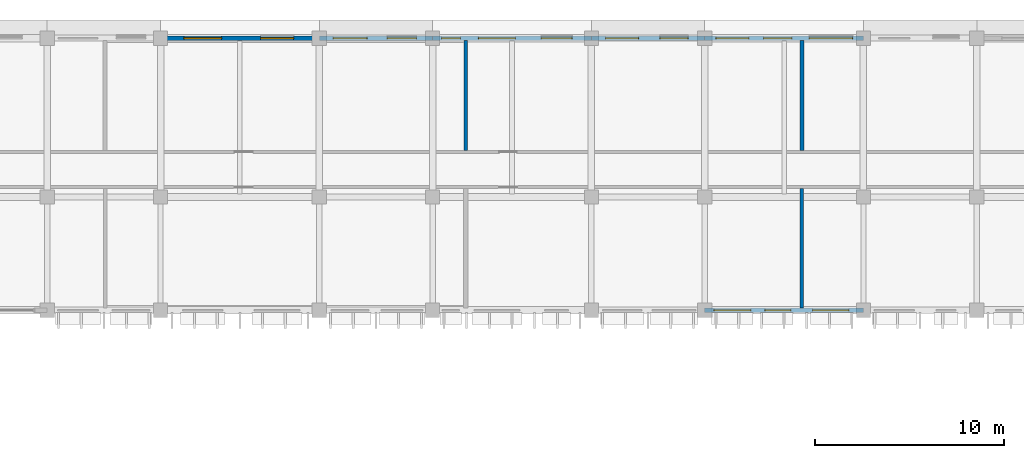
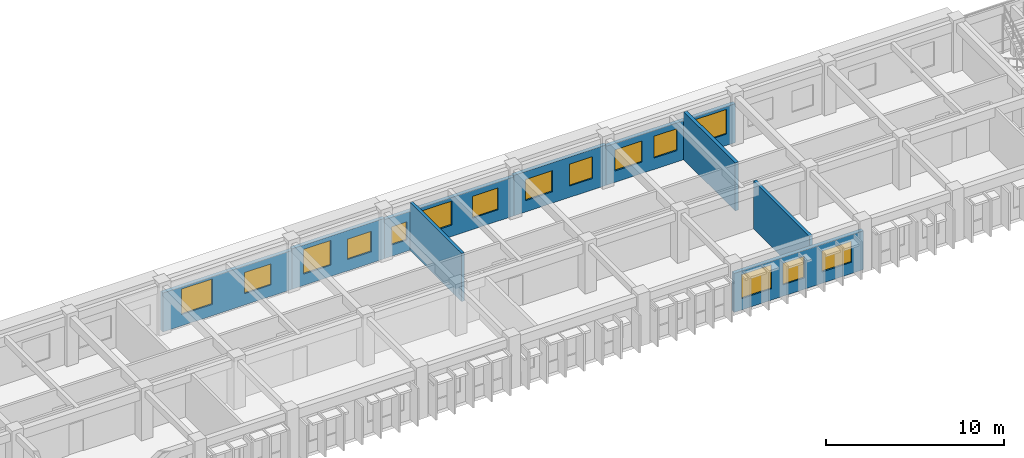
# One storey, part 60 of 88: 15 windows, 9 walls, 15 openings.
"""IFC4 building model written with IfcOpenShell, lengths in metres."""

from ifc_helpers import new_model, si_unit, direction, frame, frame_2d, origin, place, context, subcontext, project, spatial, rectangle, extrude, material, layer, layer_set, type_object, element, fill, save


model = new_model("IFC4")

# Units and contexts
model_context = context("Model", 3, precision=1e-05, world=origin(), true_north=direction((0.0, 1.0)))
body_context = subcontext(model_context, "Body", "Model", "MODEL_VIEW")
ifc_project = project(units=[si_unit("LENGTHUNIT", "METRE"), si_unit("AREAUNIT", "SQUARE_METRE"), si_unit("VOLUMEUNIT", "CUBIC_METRE"), si_unit("PLANEANGLEUNIT", "RADIAN"), si_unit("MASSUNIT", "GRAM", prefix="KILO"), si_unit("THERMODYNAMICTEMPERATUREUNIT", "KELVIN")], contexts=[model_context])

# Site, building, storey
site_placement = place(None, origin())
site = spatial("IfcSite", under=ifc_project, at=site_placement, CompositionType="ELEMENT")
building_placement = place(site_placement, origin())
building = spatial("IfcBuilding", under=site, at=building_placement, Name="Thalorik Housing Commons", CompositionType="ELEMENT")
storey_placement = place(building_placement, frame((0.0, 0.0, 4.5)))
storey = spatial("IfcBuildingStorey", under=building, at=storey_placement, Name="L01", CompositionType="ELEMENT", Elevation=4.5)

# Wall, openings, windows
ifc_material_1 = material(Name="White precast concrete C40/50", Category="concrete")
ifc_layer_1 = layer(ifc_material_1, 0.2451171875, Name="White precast concrete C40/50", Category="concrete")
ifc_layer_set_1 = layer_set([ifc_layer_1], Name="White precast concrete C40/50")
wall_type_1 = type_object("IfcWallType", Name="ARC-WAL-EXT-245", PredefinedType="STANDARD", material=ifc_layer_set_1)
wall_1_placement = place(storey_placement, frame((138.0, 123.60009765625, 0.0), z_axis=(0.0, 0.0, 1.0), x_axis=(-1.0, 0.0, 0.0)))
wall_1 = element("IfcWall", 1, at=wall_1_placement, inside=storey, type_object=wall_type_1, Name="L01 Exterior Wall WAL-EXT-L01-B-0414", PredefinedType="STANDARD", context=body_context, shape_type="SweptSolid", body=[
    extrude(rectangle(XDim=8.39990234375, YDim=0.2451171875, at=frame_2d((4.199951171875, 0.0))), origin(), (0.0, 0.0, 1.0), 2.675048828125),
])
opening_1_placement = place(wall_1_placement, frame((0.574951171875, 0.0, 0.780029296875)))
opening_1 = element("IfcOpeningElement", 2, at=opening_1_placement, cuts=wall_1, Name="Opening W-32", PredefinedType="OPENING", context=body_context, shape_type="SweptSolid", body=[
    extrude(rectangle(XDim=2.300048828125, YDim=1.699951171875, at=frame_2d((1.14990234375, 0.85009765625))), frame((0.0, 0.132568359375, 0.0), z_axis=(0.0, -1.0, 0.0), x_axis=(1.0, 0.0, 0.0)), (0.0, 0.0, 1.0), 0.26513671875),
])
opening_2_placement = place(wall_1_placement, frame((3.782470703125, 0.0, 0.780029296875)))
opening_2 = element("IfcOpeningElement", 3, at=opening_2_placement, cuts=wall_1, Name="Opening W-10", PredefinedType="OPENING", context=body_context, shape_type="SweptSolid", body=[
    extrude(rectangle(XDim=1.5, YDim=1.5, at=frame_2d((0.75, 0.75))), frame((0.0, 0.132568359375, 0.0), z_axis=(0.0, -1.0, 0.0), x_axis=(1.0, 0.0, 0.0)), (0.0, 0.0, 1.0), 0.26513671875),
])
opening_3_placement = place(wall_1_placement, frame((6.0625, 0.0, 0.780029296875)))
opening_3 = element("IfcOpeningElement", 4, at=opening_3_placement, cuts=wall_1, Name="Opening W-17", PredefinedType="OPENING", context=body_context, shape_type="SweptSolid", body=[
    extrude(rectangle(XDim=1.75, YDim=1.449951171875, at=frame_2d((0.875, 0.72509765625))), frame((0.0, 0.132568359375, 0.0), z_axis=(0.0, -1.0, 0.0), x_axis=(1.0, 0.0, 0.0)), (0.0, 0.0, 1.0), 0.26513671875),
])
ifc_material_2 = material(Name="Anodised aluminium and solar-control low-E glass", Category="aluminium")
window_type_1 = type_object("IfcWindowType", Name="ARC-WIN-10", PartitioningType="SINGLE_PANEL", PredefinedType="WINDOW", material=ifc_material_2)
window_1_placement = place(opening_2_placement, origin())
window_1 = element("IfcWindow", 5, at=window_1_placement, inside=storey, type_object=window_type_1, Name="L01 Facade Window 735", OverallHeight=1.5, OverallWidth=1.5, PartitioningType="SINGLE_PANEL", PredefinedType="WINDOW", context=body_context, shape_type="SweptSolid", body=[
    extrude(rectangle(XDim=1.5, YDim=1.5, at=frame_2d((0.75, 0.75))), frame((0.0, 0.030029296875, 0.0), z_axis=(0.0, -1.0, 0.0), x_axis=(1.0, 0.0, 0.0)), (0.0, 0.0, 1.0), 0.06005859375),
])
fill(opening_2, window_1)
window_type_2 = type_object("IfcWindowType", Name="ARC-WIN-17", PartitioningType="DOUBLE_PANEL_VERTICAL", PredefinedType="WINDOW", material=ifc_material_2)
window_2_placement = place(opening_3_placement, origin())
window_2 = element("IfcWindow", 6, at=window_2_placement, inside=storey, type_object=window_type_2, Name="L01 Facade Window 736", OverallHeight=1.449951171875, OverallWidth=1.75, PartitioningType="DOUBLE_PANEL_VERTICAL", PredefinedType="WINDOW", context=body_context, shape_type="SweptSolid", body=[
    extrude(rectangle(XDim=1.75, YDim=1.449951171875, at=frame_2d((0.875, 0.72509765625))), frame((0.0, 0.030029296875, 0.0), z_axis=(0.0, -1.0, 0.0), x_axis=(1.0, 0.0, 0.0)), (0.0, 0.0, 1.0), 0.06005859375),
])
fill(opening_3, window_2)
window_type_3 = type_object("IfcWindowType", Name="ARC-WIN-32", PartitioningType="DOUBLE_PANEL_VERTICAL", PredefinedType="WINDOW", material=ifc_material_2)
window_3_placement = place(opening_1_placement, origin())
window_3 = element("IfcWindow", 7, at=window_3_placement, inside=storey, type_object=window_type_3, Name="L01 Facade Window 734", OverallHeight=1.699951171875, OverallWidth=2.300048828125, PartitioningType="DOUBLE_PANEL_VERTICAL", PredefinedType="WINDOW", context=body_context, shape_type="SweptSolid", body=[
    extrude(rectangle(XDim=2.300048828125, YDim=1.699951171875, at=frame_2d((1.14990234375, 0.85009765625))), frame((0.0, 0.030029296875, 0.0), z_axis=(0.0, -1.0, 0.0), x_axis=(1.0, 0.0, 0.0)), (0.0, 0.0, 1.0), 0.06005859375),
])
fill(opening_1, window_3)

wall_2_placement = place(storey_placement, frame((129.60009765625, 123.60009765625, 0.0), z_axis=(0.0, 0.0, 1.0), x_axis=(-1.0, 0.0, 0.0)))
wall_2 = element("IfcWall", 8, at=wall_2_placement, inside=storey, type_object=wall_type_1, Name="L01 Exterior Wall WAL-EXT-L01-B-0415", PredefinedType="STANDARD", context=body_context, shape_type="SweptSolid", body=[
    extrude(rectangle(XDim=6.0, YDim=0.2451171875, at=frame_2d((3.0, 0.0))), origin(), (0.0, 0.0, 1.0), 2.77490234375),
])
opening_4_placement = place(wall_2_placement, frame((0.8798828125, 0.0, 0.780029296875)))
opening_4 = element("IfcOpeningElement", 9, at=opening_4_placement, cuts=wall_2, Name="Opening W-10", PredefinedType="OPENING", context=body_context, shape_type="SweptSolid", body=[
    extrude(rectangle(XDim=1.5, YDim=1.5, at=frame_2d((0.75, 0.75))), frame((0.0, 0.132568359375, 0.0), z_axis=(0.0, -1.0, 0.0), x_axis=(1.0, 0.0, 0.0)), (0.0, 0.0, 1.0), 0.26513671875),
])
opening_5_placement = place(wall_2_placement, frame((3.4951171875, 0.0, 0.780029296875)))
opening_5 = element("IfcOpeningElement", 10, at=opening_5_placement, cuts=wall_2, Name="Opening W-17", PredefinedType="OPENING", context=body_context, shape_type="SweptSolid", body=[
    extrude(rectangle(XDim=1.75, YDim=1.449951171875, at=frame_2d((0.875, 0.72509765625))), frame((0.0, 0.132568359375, 0.0), z_axis=(0.0, -1.0, 0.0), x_axis=(1.0, 0.0, 0.0)), (0.0, 0.0, 1.0), 0.26513671875),
])
window_4_placement = place(opening_4_placement, origin())
window_4 = element("IfcWindow", 11, at=window_4_placement, inside=storey, type_object=window_type_1, Name="L01 Facade Window 737", OverallHeight=1.5, OverallWidth=1.5, PartitioningType="SINGLE_PANEL", PredefinedType="WINDOW", context=body_context, shape_type="SweptSolid", body=[
    extrude(rectangle(XDim=1.5, YDim=1.5, at=frame_2d((0.75, 0.75))), frame((0.0, 0.030029296875, 0.0), z_axis=(0.0, -1.0, 0.0), x_axis=(1.0, 0.0, 0.0)), (0.0, 0.0, 1.0), 0.06005859375),
])
fill(opening_4, window_4)
window_5_placement = place(opening_5_placement, origin())
window_5 = element("IfcWindow", 12, at=window_5_placement, inside=storey, type_object=window_type_2, Name="L01 Facade Window 738", OverallHeight=1.449951171875, OverallWidth=1.75, PartitioningType="DOUBLE_PANEL_VERTICAL", PredefinedType="WINDOW", context=body_context, shape_type="SweptSolid", body=[
    extrude(rectangle(XDim=1.75, YDim=1.449951171875, at=frame_2d((0.875, 0.72509765625))), frame((0.0, 0.030029296875, 0.0), z_axis=(0.0, -1.0, 0.0), x_axis=(1.0, 0.0, 0.0)), (0.0, 0.0, 1.0), 0.06005859375),
])
fill(opening_5, window_5)

wall_3_placement = place(storey_placement, frame((123.60009765625, 123.60009765625, 0.0), z_axis=(0.0, 0.0, 1.0), x_axis=(-1.0, 0.0, 0.0)))
wall_3 = element("IfcWall", 13, at=wall_3_placement, inside=storey, type_object=wall_type_1, Name="L01 Exterior Wall WAL-EXT-L01-B-0416", PredefinedType="STANDARD", context=body_context, shape_type="SweptSolid", body=[
    extrude(rectangle(XDim=8.400146484375, YDim=0.2451171875, at=frame_2d((4.2001953125, 0.0))), origin(), (0.0, 0.0, 1.0), 2.675048828125),
])
opening_6_placement = place(wall_3_placement, frame((1.014892578125, 0.0, 0.780029296875)))
opening_6 = element("IfcOpeningElement", 14, at=opening_6_placement, cuts=wall_3, Name="Opening W-15", PredefinedType="OPENING", context=body_context, shape_type="SweptSolid", body=[
    extrude(rectangle(XDim=1.64990234375, YDim=1.5, at=frame_2d((0.824951171875, 0.75))), frame((0.0, 0.132568359375, 0.0), z_axis=(0.0, -1.0, 0.0), x_axis=(1.0, 0.0, 0.0)), (0.0, 0.0, 1.0), 0.26513671875),
])
opening_7_placement = place(wall_3_placement, frame((4.02490234375, 0.0, 0.780029296875)))
opening_7 = element("IfcOpeningElement", 15, at=opening_7_placement, cuts=wall_3, Name="Opening W-22", PredefinedType="OPENING", context=body_context, shape_type="SweptSolid", body=[
    extrude(rectangle(XDim=1.949951171875, YDim=1.64990234375, at=frame_2d((0.97509765625, 0.824951171875))), frame((0.0, 0.132568359375, 0.0), z_axis=(0.0, -1.0, 0.0), x_axis=(1.0, 0.0, 0.0)), (0.0, 0.0, 1.0), 0.26513671875),
])
opening_8_placement = place(wall_3_placement, frame((6.929931640625, 0.0, 0.780029296875)))
opening_8 = element("IfcOpeningElement", 16, at=opening_8_placement, cuts=wall_3, Name="Opening W-02", PredefinedType="OPENING", context=body_context, shape_type="SweptSolid", body=[
    extrude(rectangle(XDim=1.0, YDim=1.25, at=frame_2d((0.5, 0.625))), frame((0.0, 0.132568359375, 0.0), z_axis=(0.0, -1.0, 0.0), x_axis=(1.0, 0.0, 0.0)), (0.0, 0.0, 1.0), 0.26513671875),
])
window_type_4 = type_object("IfcWindowType", Name="ARC-WIN-02", PartitioningType="SINGLE_PANEL", PredefinedType="WINDOW", material=ifc_material_2)
window_6_placement = place(opening_8_placement, origin())
window_6 = element("IfcWindow", 17, at=window_6_placement, inside=storey, type_object=window_type_4, Name="L01 Facade Window 741", OverallHeight=1.25, OverallWidth=1.0, PartitioningType="SINGLE_PANEL", PredefinedType="WINDOW", context=body_context, shape_type="SweptSolid", body=[
    extrude(rectangle(XDim=1.0, YDim=1.25, at=frame_2d((0.5, 0.625))), frame((0.0, 0.030029296875, 0.0), z_axis=(0.0, -1.0, 0.0), x_axis=(1.0, 0.0, 0.0)), (0.0, 0.0, 1.0), 0.06005859375),
])
fill(opening_8, window_6)
window_type_5 = type_object("IfcWindowType", Name="ARC-WIN-15", PartitioningType="DOUBLE_PANEL_VERTICAL", PredefinedType="WINDOW", material=ifc_material_2)
window_7_placement = place(opening_6_placement, origin())
window_7 = element("IfcWindow", 18, at=window_7_placement, inside=storey, type_object=window_type_5, Name="L01 Facade Window 739", OverallHeight=1.5, OverallWidth=1.64990234375, PartitioningType="DOUBLE_PANEL_VERTICAL", PredefinedType="WINDOW", context=body_context, shape_type="SweptSolid", body=[
    extrude(rectangle(XDim=1.64990234375, YDim=1.5, at=frame_2d((0.824951171875, 0.75))), frame((0.0, 0.030029296875, 0.0), z_axis=(0.0, -1.0, 0.0), x_axis=(1.0, 0.0, 0.0)), (0.0, 0.0, 1.0), 0.06005859375),
])
fill(opening_6, window_7)
window_type_6 = type_object("IfcWindowType", Name="ARC-WIN-22", PartitioningType="DOUBLE_PANEL_VERTICAL", PredefinedType="WINDOW", material=ifc_material_2)
window_8_placement = place(opening_7_placement, origin())
window_8 = element("IfcWindow", 19, at=window_8_placement, inside=storey, type_object=window_type_6, Name="L01 Facade Window 740", OverallHeight=1.64990234375, OverallWidth=1.949951171875, PartitioningType="DOUBLE_PANEL_VERTICAL", PredefinedType="WINDOW", context=body_context, shape_type="SweptSolid", body=[
    extrude(rectangle(XDim=1.949951171875, YDim=1.64990234375, at=frame_2d((0.97509765625, 0.824951171875))), frame((0.0, 0.030029296875, 0.0), z_axis=(0.0, -1.0, 0.0), x_axis=(1.0, 0.0, 0.0)), (0.0, 0.0, 1.0), 0.06005859375),
])
fill(opening_7, window_8)

wall_4_placement = place(storey_placement, frame((115.199951171875, 123.60009765625, 0.0), z_axis=(0.0, 0.0, 1.0), x_axis=(-1.0, 0.0, 0.0)))
wall_4 = element("IfcWall", 20, at=wall_4_placement, inside=storey, type_object=wall_type_1, Name="L01 Exterior Wall WAL-EXT-L01-B-0417", PredefinedType="STANDARD", context=body_context, shape_type="SweptSolid", body=[
    extrude(rectangle(XDim=6.0, YDim=0.2451171875, at=frame_2d((3.0, 0.0))), origin(), (0.0, 0.0, 1.0), 2.77490234375),
])
opening_9_placement = place(wall_4_placement, frame((0.85498046875, 0.0, 0.780029296875)))
opening_9 = element("IfcOpeningElement", 21, at=opening_9_placement, cuts=wall_4, Name="Opening W-12", PredefinedType="OPENING", context=body_context, shape_type="SweptSolid", body=[
    extrude(rectangle(XDim=1.550048828125, YDim=1.39990234375, at=frame_2d((0.77490234375, 0.699951171875))), frame((0.0, 0.132568359375, 0.0), z_axis=(0.0, -1.0, 0.0), x_axis=(1.0, 0.0, 0.0)), (0.0, 0.0, 1.0), 0.26513671875),
])
opening_10_placement = place(wall_4_placement, frame((3.469970703125, 0.0, 0.780029296875)))
opening_10 = element("IfcOpeningElement", 22, at=opening_10_placement, cuts=wall_4, Name="Opening W-19", PredefinedType="OPENING", context=body_context, shape_type="SweptSolid", body=[
    extrude(rectangle(XDim=1.800048828125, YDim=1.699951171875, at=frame_2d((0.89990234375, 0.85009765625))), frame((0.0, 0.132568359375, 0.0), z_axis=(0.0, -1.0, 0.0), x_axis=(1.0, 0.0, 0.0)), (0.0, 0.0, 1.0), 0.26513671875),
])
window_type_7 = type_object("IfcWindowType", Name="ARC-WIN-12", PartitioningType="SINGLE_PANEL", PredefinedType="WINDOW", material=ifc_material_2)
window_9_placement = place(opening_9_placement, origin())
window_9 = element("IfcWindow", 23, at=window_9_placement, inside=storey, type_object=window_type_7, Name="L01 Facade Window 742", OverallHeight=1.39990234375, OverallWidth=1.550048828125, PartitioningType="SINGLE_PANEL", PredefinedType="WINDOW", context=body_context, shape_type="SweptSolid", body=[
    extrude(rectangle(XDim=1.550048828125, YDim=1.39990234375, at=frame_2d((0.77490234375, 0.699951171875))), frame((0.0, 0.030029296875, 0.0), z_axis=(0.0, -1.0, 0.0), x_axis=(1.0, 0.0, 0.0)), (0.0, 0.0, 1.0), 0.06005859375),
])
fill(opening_9, window_9)
window_type_8 = type_object("IfcWindowType", Name="ARC-WIN-19", PartitioningType="DOUBLE_PANEL_VERTICAL", PredefinedType="WINDOW", material=ifc_material_2)
window_10_placement = place(opening_10_placement, origin())
window_10 = element("IfcWindow", 24, at=window_10_placement, inside=storey, type_object=window_type_8, Name="L01 Facade Window 743", OverallHeight=1.699951171875, OverallWidth=1.800048828125, PartitioningType="DOUBLE_PANEL_VERTICAL", PredefinedType="WINDOW", context=body_context, shape_type="SweptSolid", body=[
    extrude(rectangle(XDim=1.800048828125, YDim=1.699951171875, at=frame_2d((0.89990234375, 0.85009765625))), frame((0.0, 0.030029296875, 0.0), z_axis=(0.0, -1.0, 0.0), x_axis=(1.0, 0.0, 0.0)), (0.0, 0.0, 1.0), 0.06005859375),
])
fill(opening_10, window_10)

wall_5_placement = place(storey_placement, frame((109.199951171875, 123.60009765625, 0.0), z_axis=(0.0, 0.0, 1.0), x_axis=(-1.0, 0.0, 0.0)))
wall_5 = element("IfcWall", 25, at=wall_5_placement, inside=storey, type_object=wall_type_1, Name="L01 Exterior Wall WAL-EXT-L01-B-0418", PredefinedType="STANDARD", context=body_context, shape_type="SweptSolid", body=[
    extrude(rectangle(XDim=8.39990234375, YDim=0.2451171875, at=frame_2d((4.199951171875, 0.0))), origin(), (0.0, 0.0, 1.0), 2.675048828125),
])
opening_11_placement = place(wall_5_placement, frame((1.35498046875, 0.0, 0.780029296875)))
opening_11 = element("IfcOpeningElement", 26, at=opening_11_placement, cuts=wall_5, Name="Opening W-17", PredefinedType="OPENING", context=body_context, shape_type="SweptSolid", body=[
    extrude(rectangle(XDim=1.75, YDim=1.449951171875, at=frame_2d((0.875, 0.72509765625))), frame((0.0, 0.132568359375, 0.0), z_axis=(0.0, -1.0, 0.0), x_axis=(1.0, 0.0, 0.0)), (0.0, 0.0, 1.0), 0.26513671875),
])
opening_12_placement = place(wall_5_placement, frame((5.169921875, 0.0, 0.780029296875)))
opening_12 = element("IfcOpeningElement", 27, at=opening_12_placement, cuts=wall_5, Name="Opening W-24", PredefinedType="OPENING", context=body_context, shape_type="SweptSolid", body=[
    extrude(rectangle(XDim=2.0, YDim=1.75, at=frame_2d((1.0, 0.875))), frame((0.0, 0.132568359375, 0.0), z_axis=(0.0, -1.0, 0.0), x_axis=(1.0, 0.0, 0.0)), (0.0, 0.0, 1.0), 0.26513671875),
])
window_11_placement = place(opening_11_placement, origin())
window_11 = element("IfcWindow", 28, at=window_11_placement, inside=storey, type_object=window_type_2, Name="L01 Facade Window 744", OverallHeight=1.449951171875, OverallWidth=1.75, PartitioningType="DOUBLE_PANEL_VERTICAL", PredefinedType="WINDOW", context=body_context, shape_type="SweptSolid", body=[
    extrude(rectangle(XDim=1.75, YDim=1.449951171875, at=frame_2d((0.875, 0.72509765625))), frame((0.0, 0.030029296875, 0.0), z_axis=(0.0, -1.0, 0.0), x_axis=(1.0, 0.0, 0.0)), (0.0, 0.0, 1.0), 0.06005859375),
])
fill(opening_11, window_11)
window_type_9 = type_object("IfcWindowType", Name="ARC-WIN-24", PartitioningType="DOUBLE_PANEL_VERTICAL", PredefinedType="WINDOW", material=ifc_material_2)
window_12_placement = place(opening_12_placement, origin())
window_12 = element("IfcWindow", 29, at=window_12_placement, inside=storey, type_object=window_type_9, Name="L01 Facade Window 745", OverallHeight=1.75, OverallWidth=2.0, PartitioningType="DOUBLE_PANEL_VERTICAL", PredefinedType="WINDOW", context=body_context, shape_type="SweptSolid", body=[
    extrude(rectangle(XDim=2.0, YDim=1.75, at=frame_2d((1.0, 0.875))), frame((0.0, 0.030029296875, 0.0), z_axis=(0.0, -1.0, 0.0), x_axis=(1.0, 0.0, 0.0)), (0.0, 0.0, 1.0), 0.06005859375),
])
fill(opening_12, window_12)

wall_6_placement = place(storey_placement, frame((129.60009765625, 109.199951171875, 0.0), z_axis=(0.0, 0.0, 1.0), x_axis=(1.0, 0.0, 0.0)))
wall_6 = element("IfcWall", 30, at=wall_6_placement, inside=storey, type_object=wall_type_1, Name="L01 Exterior Wall WAL-EXT-L01-B-0431", PredefinedType="STANDARD", context=body_context, shape_type="SweptSolid", body=[
    extrude(rectangle(XDim=8.39990234375, YDim=0.2451171875, at=frame_2d((4.199951171875, 0.0))), origin(), (0.0, 0.0, 1.0), 2.675048828125),
])
opening_13_placement = place(wall_6_placement, frame((0.487548828125, 0.0, 0.780029296875)))
opening_13 = element("IfcOpeningElement", 31, at=opening_13_placement, cuts=wall_6, Name="Opening W-22", PredefinedType="OPENING", context=body_context, shape_type="SweptSolid", body=[
    extrude(rectangle(XDim=1.949951171875, YDim=1.64990234375, at=frame_2d((0.97509765625, 0.824951171875))), frame((0.0, 0.132568359375, 0.0), z_axis=(0.0, -1.0, 0.0), x_axis=(1.0, 0.0, 0.0)), (0.0, 0.0, 1.0), 0.26513671875),
])
opening_14_placement = place(wall_6_placement, frame((3.177490234375, 0.0, 0.780029296875)))
opening_14 = element("IfcOpeningElement", 32, at=opening_14_placement, cuts=wall_6, Name="Opening W-49", PredefinedType="OPENING", context=body_context, shape_type="SweptSolid", body=[
    extrude(rectangle(XDim=1.3798828125, YDim=1.47998046875, at=frame_2d((0.68994140625, 0.739990234375))), frame((0.0, 0.132568359375, 0.0), z_axis=(0.0, -1.0, 0.0), x_axis=(1.0, 0.0, 0.0)), (0.0, 0.0, 1.0), 0.26513671875),
])
opening_15_placement = place(wall_6_placement, frame((5.715087890625, 0.0, 0.780029296875)))
opening_15 = element("IfcOpeningElement", 33, at=opening_15_placement, cuts=wall_6, Name="Opening W-60", PredefinedType="OPENING", context=body_context, shape_type="SweptSolid", body=[
    extrude(rectangle(XDim=1.919921875, YDim=1.43994140625, at=frame_2d((0.9599609375, 0.719970703125))), frame((0.0, 0.132568359375, 0.0), z_axis=(0.0, -1.0, 0.0), x_axis=(1.0, 0.0, 0.0)), (0.0, 0.0, 1.0), 0.26513671875),
])
window_13_placement = place(opening_13_placement, origin())
window_13 = element("IfcWindow", 34, at=window_13_placement, inside=storey, type_object=window_type_6, Name="L01 Facade Window 768", OverallHeight=1.64990234375, OverallWidth=1.949951171875, PartitioningType="DOUBLE_PANEL_VERTICAL", PredefinedType="WINDOW", context=body_context, shape_type="SweptSolid", body=[
    extrude(rectangle(XDim=1.949951171875, YDim=1.64990234375, at=frame_2d((0.97509765625, 0.824951171875))), frame((0.0, 0.030029296875, 0.0), z_axis=(0.0, -1.0, 0.0), x_axis=(1.0, 0.0, 0.0)), (0.0, 0.0, 1.0), 0.06005859375),
])
fill(opening_13, window_13)
window_type_10 = type_object("IfcWindowType", Name="ARC-WIN-49", PartitioningType="SINGLE_PANEL", PredefinedType="WINDOW", material=ifc_material_2)
window_14_placement = place(opening_14_placement, origin())
window_14 = element("IfcWindow", 35, at=window_14_placement, inside=storey, type_object=window_type_10, Name="L01 Facade Window 769", OverallHeight=1.47998046875, OverallWidth=1.3798828125, PartitioningType="SINGLE_PANEL", PredefinedType="WINDOW", context=body_context, shape_type="SweptSolid", body=[
    extrude(rectangle(XDim=1.3798828125, YDim=1.47998046875, at=frame_2d((0.68994140625, 0.739990234375))), frame((0.0, 0.030029296875, 0.0), z_axis=(0.0, -1.0, 0.0), x_axis=(1.0, 0.0, 0.0)), (0.0, 0.0, 1.0), 0.06005859375),
])
fill(opening_14, window_14)
window_type_11 = type_object("IfcWindowType", Name="ARC-WIN-60", PartitioningType="DOUBLE_PANEL_VERTICAL", PredefinedType="WINDOW", material=ifc_material_2)
window_15_placement = place(opening_15_placement, origin())
window_15 = element("IfcWindow", 36, at=window_15_placement, inside=storey, type_object=window_type_11, Name="L01 Facade Window 770", OverallHeight=1.43994140625, OverallWidth=1.919921875, PartitioningType="DOUBLE_PANEL_VERTICAL", PredefinedType="WINDOW", context=body_context, shape_type="SweptSolid", body=[
    extrude(rectangle(XDim=1.919921875, YDim=1.43994140625, at=frame_2d((0.9599609375, 0.719970703125))), frame((0.0, 0.030029296875, 0.0), z_axis=(0.0, -1.0, 0.0), x_axis=(1.0, 0.0, 0.0)), (0.0, 0.0, 1.0), 0.06005859375),
])
fill(opening_15, window_15)

# Walls
ifc_material_3 = material(Name="Masonry acoustic blockwork wall", Category="masonry")
ifc_layer_2 = layer(ifc_material_3, 0.18505859375, Name="Masonry acoustic blockwork wall", Category="masonry")
ifc_layer_set_2 = layer_set([ifc_layer_2], Name="Masonry acoustic blockwork wall")
wall_type_2 = type_object("IfcWallType", Name="ARC-WAL-PARTY-185", PredefinedType="PARTITIONING", material=ifc_layer_set_2)
wall_7_placement = place(storey_placement, frame((116.949951171875, 117.66455078125, 0.0), z_axis=(0.0, 0.0, 1.0), x_axis=(0.0, 1.0, 0.0)))
element("IfcWall", 37, at=wall_7_placement, inside=storey, type_object=wall_type_2, Name="L01 Inter-Tenancy Wall 2B", PredefinedType="PARTITIONING", context=body_context, shape_type="SweptSolid", body=[
    extrude(rectangle(XDim=5.81103515625, YDim=0.18505859375, at=frame_2d((2.905517578125, 0.0))), origin(), (0.0, 0.0, 1.0), 3.300048828125),
])
ifc_material_4 = material(Name="Precast concrete C40/50 acoustic wall", Category="concrete")
ifc_layer_3 = layer(ifc_material_4, 0.199951171875, Name="Precast concrete C40/50 acoustic wall", Category="concrete")
ifc_layer_set_3 = layer_set([ifc_layer_3], Name="Precast concrete C40/50 acoustic wall")
wall_type_3 = type_object("IfcWallType", Name="ARC-WAL-PARTY-200", PredefinedType="PARTITIONING", material=ifc_layer_set_3)
wall_8_placement = place(storey_placement, frame((134.739990234375, 109.324462890625, 0.0), z_axis=(0.0, 0.0, 1.0), x_axis=(0.0, 1.0, 0.0)))
element("IfcWall", 38, at=wall_8_placement, inside=storey, type_object=wall_type_3, Name="L01 Inter-Tenancy Wall 3A", PredefinedType="PARTITIONING", context=body_context, shape_type="SweptSolid", body=[
    extrude(rectangle(XDim=6.318603515625, YDim=0.199951171875, at=frame_2d((3.1591796875, 0.0))), origin(), (0.0, 0.0, 1.0), 3.300048828125),
])
ifc_layer_4 = layer(ifc_material_4, 0.219970703125, Name="Precast concrete C40/50 acoustic wall", Category="concrete")
ifc_layer_set_4 = layer_set([ifc_layer_4], Name="Precast concrete C40/50 acoustic wall")
wall_type_4 = type_object("IfcWallType", Name="ARC-WAL-PARTY-220", PredefinedType="PARTITIONING", material=ifc_layer_set_4)
wall_9_placement = place(storey_placement, frame((134.739990234375, 117.66455078125, 0.0), z_axis=(0.0, 0.0, 1.0), x_axis=(0.0, 1.0, 0.0)))
element("IfcWall", 39, at=wall_9_placement, inside=storey, type_object=wall_type_4, Name="L01 Inter-Tenancy Wall 3B", PredefinedType="PARTITIONING", context=body_context, shape_type="SweptSolid", body=[
    extrude(rectangle(XDim=5.81103515625, YDim=0.219970703125, at=frame_2d((2.905517578125, 0.0))), origin(), (0.0, 0.0, 1.0), 3.300048828125),
])

save(model, "model.ifc")
